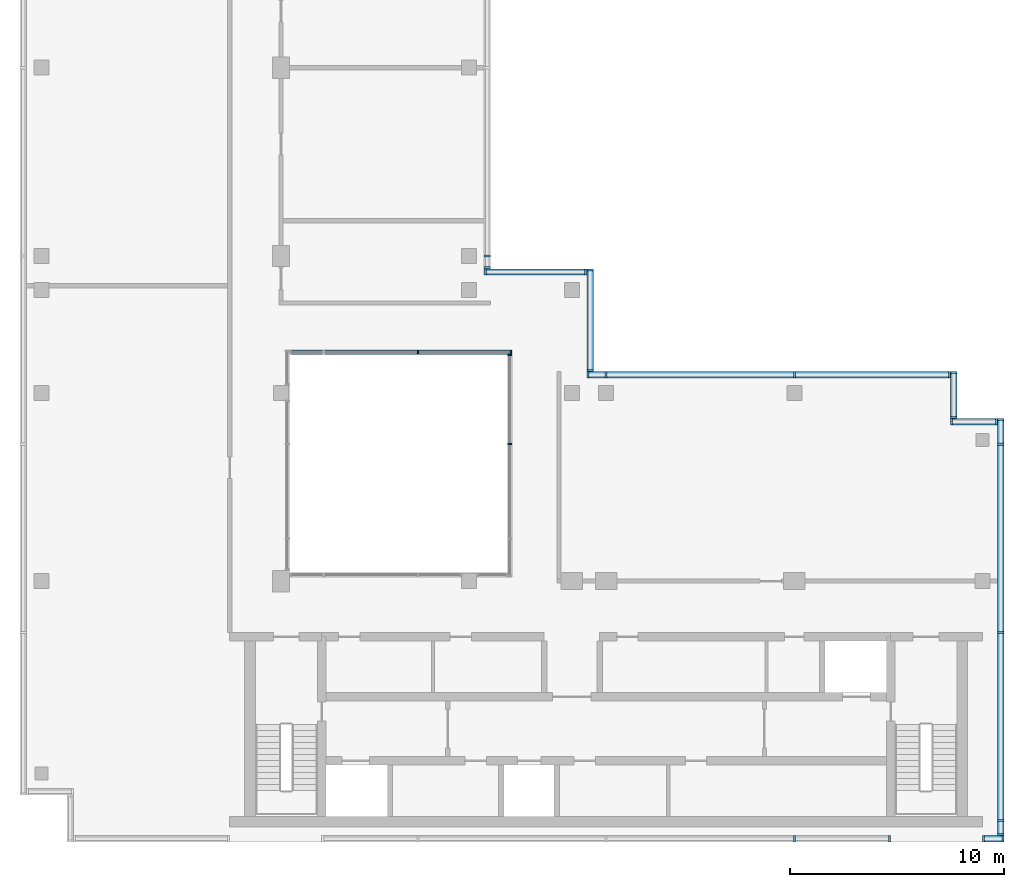
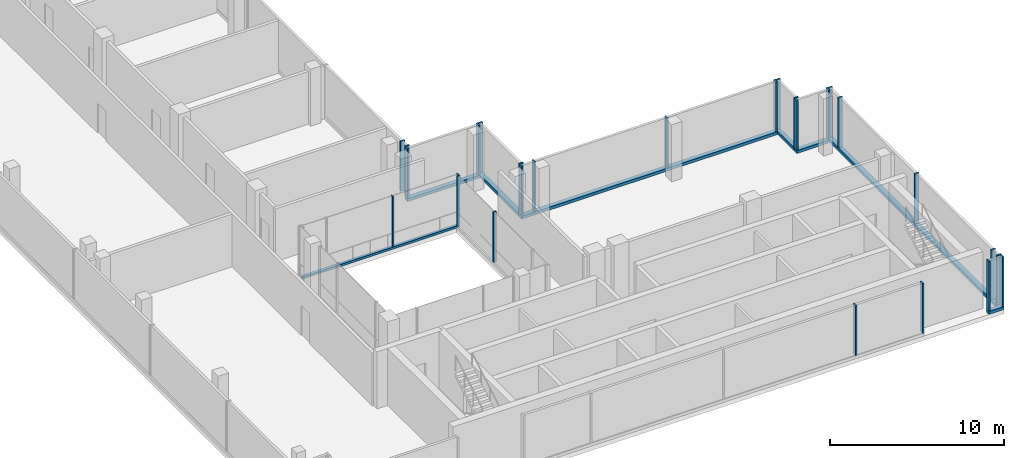
# One storey, part 5 of 10: 35 members, 11 elements without a shape of their own.
"""IFC4 building model written with IfcOpenShell, lengths in metres."""

from ifc_helpers import new_model, si_unit, direction, frame, origin, origin_2d, place, context, subcontext, project, spatial, rectangle, extrude, source, transform, mapped, material, material_profile, profile_set, type_object, element, aggregate, save


model = new_model("IFC4")

# Units and contexts
model_context = context("Model", 3, precision=1e-05, world=origin(), true_north=direction((0.0, 1.0)))
body_context = subcontext(model_context, "Body", "Model", "MODEL_VIEW")
ifc_project = project(units=[si_unit("LENGTHUNIT", "METRE"), si_unit("AREAUNIT", "SQUARE_METRE"), si_unit("VOLUMEUNIT", "CUBIC_METRE"), si_unit("PLANEANGLEUNIT", "RADIAN"), si_unit("MASSUNIT", "GRAM", prefix="KILO")], contexts=[model_context])

# Site, building, storey
site_placement = place(None, origin())
site = spatial("IfcSite", under=ifc_project, at=site_placement, CompositionType="ELEMENT")
building_placement = place(site_placement, origin())
building = spatial("IfcBuilding", under=site, at=building_placement, Name="Kemantara Hotel Tower", CompositionType="ELEMENT")
storey_placement = place(building_placement, frame((0.0, 0.0, 314.199951171875)))
storey = spatial("IfcBuildingStorey", under=building, at=storey_placement, Name="L79", CompositionType="ELEMENT", Elevation=314.199951171875)

# Curtain wall, member
ifc_material_1 = material(Name="Clear low-iron laminated glass 36 mm", Category="glass")
curtain_wall_type_1 = type_object("IfcCurtainWallType", Name="ATRIUM GLAZING WALL", PredefinedType="USERDEFINED", material=ifc_material_1)
curtain_wall_1_placement = place(storey_placement, origin())
curtain_wall_1 = element("IfcCurtainWall", 1, at=curtain_wall_1_placement, inside=storey, type_object=curtain_wall_type_1, Name="CW5 L79 ATR-R0-1", ObjectType="ATRIUM GLAZING WALL", PredefinedType="USERDEFINED")
ifc_material_2 = material(Name="Aluminium 6063-T6 bronze anodised", Category="aluminium")
ifc_material_profile_1 = material_profile(ifc_material_2, rectangle(XDim=0.199951171875, YDim=0.14990234375, at=origin_2d()), Name="ATRIUM GLAZING WALL TRANSOM")
ifc_profile_set_1 = profile_set([ifc_material_profile_1], Name="Aluminium 6063-T6 bronze anodised")
member_type_1 = type_object("IfcMemberType", Name="ATRIUM GLAZING WALL TRANSOM", PredefinedType="USERDEFINED", material=ifc_profile_set_1)
member_1_placement = place(storey_placement, frame((12.60009765625, 22.89990234375, 0.074951171875), z_axis=(1.0, 0.0, 0.0), x_axis=(0.0, 1.0, 0.0)))
member_1 = element("IfcMember", 2, at=member_1_placement, type_object=member_type_1, Name="CW5 sill transom ATR-R0-1", ObjectType="TRANSOM", PredefinedType="USERDEFINED", context=body_context, shape_type="SweptSolid", body=[
    extrude(rectangle(XDim=0.199951171875, YDim=0.14990234375, at=origin_2d()), origin(), (0.0, 0.0, 1.0), 10.39990234375),
])

curtain_wall_type_2 = type_object("IfcCurtainWallType", Name="CROWN LOUVRE SCREEN WALL", PredefinedType="USERDEFINED", material=ifc_material_2)
curtain_wall_2_placement = place(storey_placement, origin())
curtain_wall_2 = element("IfcCurtainWall", 3, at=curtain_wall_2_placement, inside=storey, type_object=curtain_wall_type_2, Name="CW7 L79 CRN-R08-3", ObjectType="CROWN LOUVRE SCREEN WALL", PredefinedType="USERDEFINED")
ifc_material_profile_2 = material_profile(ifc_material_2, rectangle(XDim=0.300048828125, YDim=0.199951171875, at=origin_2d()), Name="CROWN LOUVRE SCREEN WALL TRANSOM")
ifc_profile_set_2 = profile_set([ifc_material_profile_2], Name="Aluminium 6063-T6 bronze anodised")
member_type_2 = type_object("IfcMemberType", Name="CROWN LOUVRE SCREEN WALL TRANSOM", PredefinedType="USERDEFINED", material=ifc_profile_set_2)
member_2_placement = place(storey_placement, frame((45.0, 0.14990234375, 0.10009765625), z_axis=(1.0, 0.0, 0.0), x_axis=(0.0, 1.0, 0.0)))
member_2 = element("IfcMember", 4, at=member_2_placement, type_object=member_type_2, Name="CW7 sill transom CRN-R08-3", ObjectType="TRANSOM", PredefinedType="USERDEFINED", context=body_context, shape_type="SweptSolid", body=[
    extrude(rectangle(XDim=0.300048828125, YDim=0.199951171875, at=origin_2d()), origin(), (0.0, 0.0, 1.0), 1.0),
])

curtain_wall_3_placement = place(storey_placement, origin())
curtain_wall_3 = element("IfcCurtainWall", 5, at=curtain_wall_3_placement, inside=storey, type_object=curtain_wall_type_2, Name="CW7 L79 CRN-R09-1", ObjectType="CROWN LOUVRE SCREEN WALL", PredefinedType="USERDEFINED")
member_3_placement = place(storey_placement, frame((45.85009765625, 0.300048828125, 0.10009765625), z_axis=(0.0, 1.0, 0.0), x_axis=(-1.0, 0.0, 0.0)))
member_3 = element("IfcMember", 6, at=member_3_placement, type_object=member_type_2, Name="CW7 sill transom CRN-R09-1", ObjectType="TRANSOM", PredefinedType="USERDEFINED", context=body_context, shape_type="SweptSolid", body=[
    extrude(rectangle(XDim=0.300048828125, YDim=0.199951171875, at=origin_2d()), origin(), (0.0, 0.0, 1.0), 19.5),
])

curtain_wall_4_placement = place(storey_placement, origin())
curtain_wall_4 = element("IfcCurtainWall", 7, at=curtain_wall_4_placement, inside=storey, type_object=curtain_wall_type_2, Name="CW7 L79 CRN-R12-1", ObjectType="CROWN LOUVRE SCREEN WALL", PredefinedType="USERDEFINED")
member_4_placement = place(storey_placement, frame((43.5, 21.85009765625, 0.10009765625), z_axis=(-1.0, 0.0, 0.0), x_axis=(0.0, -1.0, 0.0)))
member_4 = element("IfcMember", 8, at=member_4_placement, type_object=member_type_2, Name="CW7 sill transom CRN-R12-1", ObjectType="TRANSOM", PredefinedType="USERDEFINED", context=body_context, shape_type="SweptSolid", body=[
    extrude(rectangle(XDim=0.300048828125, YDim=0.199951171875, at=origin_2d()), origin(), (0.0, 0.0, 1.0), 17.0),
])

curtain_wall_5_placement = place(storey_placement, origin())
curtain_wall_5 = element("IfcCurtainWall", 9, at=curtain_wall_5_placement, inside=storey, type_object=curtain_wall_type_2, Name="CW7 L79 CRN-R13-1", ObjectType="CROWN LOUVRE SCREEN WALL", PredefinedType="USERDEFINED")
member_5_placement = place(storey_placement, frame((26.64990234375, 22.0, 0.10009765625), z_axis=(0.0, 1.0, 0.0), x_axis=(-1.0, 0.0, 0.0)))
member_5 = element("IfcMember", 10, at=member_5_placement, type_object=member_type_2, Name="CW7 sill transom CRN-R13-1", ObjectType="TRANSOM", PredefinedType="USERDEFINED", context=body_context, shape_type="SweptSolid", body=[
    extrude(rectangle(XDim=0.300048828125, YDim=0.199951171875, at=origin_2d()), origin(), (0.0, 0.0, 1.0), 4.800048828125),
])

curtain_wall_6_placement = place(storey_placement, origin())
curtain_wall_6 = element("IfcCurtainWall", 11, at=curtain_wall_6_placement, inside=storey, type_object=curtain_wall_type_2, Name="CW7 L79 CRN-R14-1", ObjectType="CROWN LOUVRE SCREEN WALL", PredefinedType="USERDEFINED")
member_6_placement = place(storey_placement, frame((26.5, 26.64990234375, 0.10009765625), z_axis=(-1.0, 0.0, 0.0), x_axis=(0.0, -1.0, 0.0)))
member_6 = element("IfcMember", 12, at=member_6_placement, type_object=member_type_2, Name="CW7 sill transom CRN-R14-1", ObjectType="TRANSOM", PredefinedType="USERDEFINED", context=body_context, shape_type="SweptSolid", body=[
    extrude(rectangle(XDim=0.300048828125, YDim=0.199951171875, at=origin_2d()), origin(), (0.0, 0.0, 1.0), 4.800048828125),
])

curtain_wall_7_placement = place(storey_placement, origin())
curtain_wall_7 = element("IfcCurtainWall", 13, at=curtain_wall_7_placement, inside=storey, type_object=curtain_wall_type_2, Name="CW7 L79 CRN-R10-1", ObjectType="CROWN LOUVRE SCREEN WALL", PredefinedType="USERDEFINED")
member_7_placement = place(storey_placement, frame((45.699951171875, 19.64990234375, 0.10009765625), z_axis=(-1.0, 0.0, 0.0), x_axis=(0.0, -1.0, 0.0)))
member_7 = element("IfcMember", 14, at=member_7_placement, type_object=member_type_2, Name="CW7 sill transom CRN-R10-1", ObjectType="TRANSOM", PredefinedType="USERDEFINED", context=body_context, shape_type="SweptSolid", body=[
    extrude(rectangle(XDim=0.300048828125, YDim=0.199951171875, at=origin_2d()), origin(), (0.0, 0.0, 1.0), 2.199951171875),
])

curtain_wall_8_placement = place(storey_placement, origin())
curtain_wall_8 = element("IfcCurtainWall", 15, at=curtain_wall_8_placement, inside=storey, type_object=curtain_wall_type_2, Name="CW7 L79 CRN-R11-1", ObjectType="CROWN LOUVRE SCREEN WALL", PredefinedType="USERDEFINED")
member_8_placement = place(storey_placement, frame((43.64990234375, 19.800048828125, 0.10009765625), z_axis=(0.0, 1.0, 0.0), x_axis=(-1.0, 0.0, 0.0)))
member_8 = element("IfcMember", 16, at=member_8_placement, type_object=member_type_2, Name="CW7 sill transom CRN-R11-1", ObjectType="TRANSOM", PredefinedType="USERDEFINED", context=body_context, shape_type="SweptSolid", body=[
    extrude(rectangle(XDim=0.300048828125, YDim=0.199951171875, at=origin_2d()), origin(), (0.0, 0.0, 1.0), 2.199951171875),
])

# Curtain wall, members
curtain_wall_9_placement = place(storey_placement, origin())
curtain_wall_9 = element("IfcCurtainWall", 17, at=curtain_wall_9_placement, inside=storey, type_object=curtain_wall_type_2, Name="CW7 L79 CRN-R08-2", ObjectType="CROWN LOUVRE SCREEN WALL", PredefinedType="USERDEFINED")
ifc_material_profile_3 = material_profile(ifc_material_2, rectangle(XDim=0.300048828125, YDim=0.10009765625, at=origin_2d()), Name="CROWN LOUVRE SCREEN WALL MULLION")
ifc_profile_set_3 = profile_set([ifc_material_profile_3], Name="Aluminium 6063-T6 bronze anodised")
member_type_3 = type_object("IfcMemberType", Name="CROWN LOUVRE SCREEN WALL MULLION", PredefinedType="MULLION", material=ifc_profile_set_3)
shared_shape_1 = source(origin(), body_context, "Body", "SweptSolid", [
    extrude(rectangle(XDim=0.300048828125, YDim=0.10009765625, at=origin_2d()), origin(), (0.0, 0.0, 1.0), 3.5),
])
member_9_placement = place(storey_placement, frame((36.199951171875, 0.14990234375, 0.199951171875), z_axis=(0.0, 0.0, 1.0), x_axis=(0.0, 1.0, 0.0)))
member_9 = element("IfcMember", 18, at=member_9_placement, type_object=member_type_3, Name="CW7 mullion CRN-R08-2.4", PredefinedType="MULLION", context=body_context, shape_type="MappedRepresentation", body=[
    mapped(shared_shape_1, transform((0.0, 0.0, 0.0))),
])
member_10_placement = place(storey_placement, frame((40.64990234375, 0.14990234375, 0.199951171875), z_axis=(0.0, 0.0, 1.0), x_axis=(0.0, 1.0, 0.0)))
member_10 = element("IfcMember", 19, at=member_10_placement, type_object=member_type_3, Name="CW7 mullion CRN-R08-2.5", PredefinedType="MULLION", context=body_context, shape_type="MappedRepresentation", body=[
    mapped(shared_shape_1, transform((0.0, 0.0, 0.0))),
])
aggregate(curtain_wall_9, [member_9, member_10])

# Member
member_11_placement = place(storey_placement, frame((45.050048828125, 0.14990234375, 0.199951171875), z_axis=(0.0, 0.0, 1.0), x_axis=(0.0, 1.0, 0.0)))
member_11 = element("IfcMember", 20, at=member_11_placement, type_object=member_type_3, Name="CW7 mullion CRN-R08-3.1", PredefinedType="MULLION", context=body_context, shape_type="MappedRepresentation", body=[
    mapped(shared_shape_1, transform((0.0, 0.0, 0.0))),
])

member_12_placement = place(storey_placement, frame((45.949951171875, 0.14990234375, 0.199951171875), z_axis=(0.0, 0.0, 1.0), x_axis=(0.0, 1.0, 0.0)))
member_12 = element("IfcMember", 21, at=member_12_placement, type_object=member_type_3, Name="CW7 mullion CRN-R08-3.2", PredefinedType="MULLION", context=body_context, shape_type="MappedRepresentation", body=[
    mapped(shared_shape_1, transform((0.0, 0.0, 0.0))),
])

aggregate(curtain_wall_2, [member_2, member_11, member_12])

member_13_placement = place(storey_placement, frame((45.85009765625, 0.35009765625, 0.199951171875), z_axis=(0.0, 0.0, 1.0), x_axis=(-1.0, 0.0, 0.0)))
member_13 = element("IfcMember", 22, at=member_13_placement, type_object=member_type_3, Name="CW7 mullion CRN-R09-1.1", PredefinedType="MULLION", context=body_context, shape_type="MappedRepresentation", body=[
    mapped(shared_shape_1, transform((0.0, 0.0, 0.0))),
])

member_14_placement = place(storey_placement, frame((45.85009765625, 1.0, 0.199951171875), z_axis=(0.0, 0.0, 1.0), x_axis=(-1.0, 0.0, 0.0)))
member_14 = element("IfcMember", 23, at=member_14_placement, type_object=member_type_3, Name="CW7 mullion CRN-R09-1.2", PredefinedType="MULLION", context=body_context, shape_type="MappedRepresentation", body=[
    mapped(shared_shape_1, transform((0.0, 0.0, 0.0))),
])

member_15_placement = place(storey_placement, frame((45.85009765625, 9.800048828125, 0.199951171875), z_axis=(0.0, 0.0, 1.0), x_axis=(-1.0, 0.0, 0.0)))
member_15 = element("IfcMember", 24, at=member_15_placement, type_object=member_type_3, Name="CW7 mullion CRN-R09-1.3", PredefinedType="MULLION", context=body_context, shape_type="MappedRepresentation", body=[
    mapped(shared_shape_1, transform((0.0, 0.0, 0.0))),
])

member_16_placement = place(storey_placement, frame((45.85009765625, 18.60009765625, 0.199951171875), z_axis=(0.0, 0.0, 1.0), x_axis=(-1.0, 0.0, 0.0)))
member_16 = element("IfcMember", 25, at=member_16_placement, type_object=member_type_3, Name="CW7 mullion CRN-R09-1.4", PredefinedType="MULLION", context=body_context, shape_type="MappedRepresentation", body=[
    mapped(shared_shape_1, transform((0.0, 0.0, 0.0))),
])

member_17_placement = place(storey_placement, frame((45.85009765625, 19.75, 0.199951171875), z_axis=(0.0, 0.0, 1.0), x_axis=(-1.0, 0.0, 0.0)))
member_17 = element("IfcMember", 26, at=member_17_placement, type_object=member_type_3, Name="CW7 mullion CRN-R09-1.5", PredefinedType="MULLION", context=body_context, shape_type="MappedRepresentation", body=[
    mapped(shared_shape_1, transform((0.0, 0.0, 0.0))),
])

aggregate(curtain_wall_3, [member_3, member_13, member_14, member_15, member_16, member_17])

member_18_placement = place(storey_placement, frame((43.449951171875, 21.85009765625, 0.199951171875), z_axis=(0.0, 0.0, 1.0), x_axis=(0.0, -1.0, 0.0)))
member_18 = element("IfcMember", 27, at=member_18_placement, type_object=member_type_3, Name="CW7 mullion CRN-R12-1.1", PredefinedType="MULLION", context=body_context, shape_type="MappedRepresentation", body=[
    mapped(shared_shape_1, transform((0.0, 0.0, 0.0))),
])

member_19_placement = place(storey_placement, frame((36.199951171875, 21.85009765625, 0.199951171875), z_axis=(0.0, 0.0, 1.0), x_axis=(0.0, -1.0, 0.0)))
member_19 = element("IfcMember", 28, at=member_19_placement, type_object=member_type_3, Name="CW7 mullion CRN-R12-1.2", PredefinedType="MULLION", context=body_context, shape_type="MappedRepresentation", body=[
    mapped(shared_shape_1, transform((0.0, 0.0, 0.0))),
])

member_20_placement = place(storey_placement, frame((27.39990234375, 21.85009765625, 0.199951171875), z_axis=(0.0, 0.0, 1.0), x_axis=(0.0, -1.0, 0.0)))
member_20 = element("IfcMember", 29, at=member_20_placement, type_object=member_type_3, Name="CW7 mullion CRN-R12-1.3", PredefinedType="MULLION", context=body_context, shape_type="MappedRepresentation", body=[
    mapped(shared_shape_1, transform((0.0, 0.0, 0.0))),
])

member_21_placement = place(storey_placement, frame((26.550048828125, 21.85009765625, 0.199951171875), z_axis=(0.0, 0.0, 1.0), x_axis=(0.0, -1.0, 0.0)))
member_21 = element("IfcMember", 30, at=member_21_placement, type_object=member_type_3, Name="CW7 mullion CRN-R12-1.4", PredefinedType="MULLION", context=body_context, shape_type="MappedRepresentation", body=[
    mapped(shared_shape_1, transform((0.0, 0.0, 0.0))),
])

aggregate(curtain_wall_4, [member_4, member_18, member_19, member_20, member_21])

member_22_placement = place(storey_placement, frame((26.64990234375, 22.050048828125, 0.199951171875), z_axis=(0.0, 0.0, 1.0), x_axis=(-1.0, 0.0, 0.0)))
member_22 = element("IfcMember", 31, at=member_22_placement, type_object=member_type_3, Name="CW7 mullion CRN-R13-1.1", PredefinedType="MULLION", context=body_context, shape_type="MappedRepresentation", body=[
    mapped(shared_shape_1, transform((0.0, 0.0, 0.0))),
])

member_23_placement = place(storey_placement, frame((26.64990234375, 26.75, 0.199951171875), z_axis=(0.0, 0.0, 1.0), x_axis=(-1.0, 0.0, 0.0)))
member_23 = element("IfcMember", 32, at=member_23_placement, type_object=member_type_3, Name="CW7 mullion CRN-R13-1.2", PredefinedType="MULLION", context=body_context, shape_type="MappedRepresentation", body=[
    mapped(shared_shape_1, transform((0.0, 0.0, 0.0))),
])

aggregate(curtain_wall_5, [member_5, member_22, member_23])

member_24_placement = place(storey_placement, frame((26.449951171875, 26.64990234375, 0.199951171875), z_axis=(0.0, 0.0, 1.0), x_axis=(0.0, -1.0, 0.0)))
member_24 = element("IfcMember", 33, at=member_24_placement, type_object=member_type_3, Name="CW7 mullion CRN-R14-1.1", PredefinedType="MULLION", context=body_context, shape_type="MappedRepresentation", body=[
    mapped(shared_shape_1, transform((0.0, 0.0, 0.0))),
])

member_25_placement = place(storey_placement, frame((21.75, 26.64990234375, 0.199951171875), z_axis=(0.0, 0.0, 1.0), x_axis=(0.0, -1.0, 0.0)))
member_25 = element("IfcMember", 34, at=member_25_placement, type_object=member_type_3, Name="CW7 mullion CRN-R14-1.2", PredefinedType="MULLION", context=body_context, shape_type="MappedRepresentation", body=[
    mapped(shared_shape_1, transform((0.0, 0.0, 0.0))),
])

aggregate(curtain_wall_6, [member_6, member_24, member_25])

# Curtain wall, members
curtain_wall_10_placement = place(storey_placement, origin())
curtain_wall_10 = element("IfcCurtainWall", 35, at=curtain_wall_10_placement, inside=storey, type_object=curtain_wall_type_2, Name="CW7 L79 CRN-R15-1", ObjectType="CROWN LOUVRE SCREEN WALL", PredefinedType="USERDEFINED")
member_26_placement = place(storey_placement, frame((21.85009765625, 26.85009765625, 0.199951171875), z_axis=(0.0, 0.0, 1.0), x_axis=(-1.0, 0.0, 0.0)))
member_26 = element("IfcMember", 36, at=member_26_placement, type_object=member_type_3, Name="CW7 mullion CRN-R15-1.1", PredefinedType="MULLION", context=body_context, shape_type="MappedRepresentation", body=[
    mapped(shared_shape_1, transform((0.0, 0.0, 0.0))),
])
member_27_placement = place(storey_placement, frame((21.85009765625, 27.39990234375, 0.199951171875), z_axis=(0.0, 0.0, 1.0), x_axis=(-1.0, 0.0, 0.0)))
member_27 = element("IfcMember", 37, at=member_27_placement, type_object=member_type_3, Name="CW7 mullion CRN-R15-1.2", PredefinedType="MULLION", context=body_context, shape_type="MappedRepresentation", body=[
    mapped(shared_shape_1, transform((0.0, 0.0, 0.0))),
])
aggregate(curtain_wall_10, [member_26, member_27])

# Member
member_28_placement = place(storey_placement, frame((45.64990234375, 19.64990234375, 0.199951171875), z_axis=(0.0, 0.0, 1.0), x_axis=(0.0, -1.0, 0.0)))
member_28 = element("IfcMember", 38, at=member_28_placement, type_object=member_type_3, Name="CW7 mullion CRN-R10-1.1", PredefinedType="MULLION", context=body_context, shape_type="MappedRepresentation", body=[
    mapped(shared_shape_1, transform((0.0, 0.0, 0.0))),
])

member_29_placement = place(storey_placement, frame((43.550048828125, 19.64990234375, 0.199951171875), z_axis=(0.0, 0.0, 1.0), x_axis=(0.0, -1.0, 0.0)))
member_29 = element("IfcMember", 39, at=member_29_placement, type_object=member_type_3, Name="CW7 mullion CRN-R10-1.2", PredefinedType="MULLION", context=body_context, shape_type="MappedRepresentation", body=[
    mapped(shared_shape_1, transform((0.0, 0.0, 0.0))),
])

aggregate(curtain_wall_7, [member_7, member_28, member_29])

member_30_placement = place(storey_placement, frame((43.64990234375, 19.85009765625, 0.199951171875), z_axis=(0.0, 0.0, 1.0), x_axis=(-1.0, 0.0, 0.0)))
member_30 = element("IfcMember", 40, at=member_30_placement, type_object=member_type_3, Name="CW7 mullion CRN-R11-1.1", PredefinedType="MULLION", context=body_context, shape_type="MappedRepresentation", body=[
    mapped(shared_shape_1, transform((0.0, 0.0, 0.0))),
])

member_31_placement = place(storey_placement, frame((43.64990234375, 21.949951171875, 0.199951171875), z_axis=(0.0, 0.0, 1.0), x_axis=(-1.0, 0.0, 0.0)))
member_31 = element("IfcMember", 41, at=member_31_placement, type_object=member_type_3, Name="CW7 mullion CRN-R11-1.2", PredefinedType="MULLION", context=body_context, shape_type="MappedRepresentation", body=[
    mapped(shared_shape_1, transform((0.0, 0.0, 0.0))),
])

aggregate(curtain_wall_8, [member_8, member_30, member_31])

ifc_material_profile_4 = material_profile(ifc_material_2, rectangle(XDim=0.199951171875, YDim=0.074951171875, at=origin_2d()), Name="ATRIUM GLAZING WALL MULLION")
ifc_profile_set_4 = profile_set([ifc_material_profile_4], Name="Aluminium 6063-T6 bronze anodised")
member_type_4 = type_object("IfcMemberType", Name="ATRIUM GLAZING WALL MULLION", PredefinedType="MULLION", material=ifc_profile_set_4)
shared_shape_2 = source(origin(), body_context, "Body", "SweptSolid", [
    extrude(rectangle(XDim=0.199951171875, YDim=0.074951171875, at=origin_2d()), origin(), (0.0, 0.0, 1.0), 3.5498046875),
])
member_32_placement = place(storey_placement, frame((18.60009765625, 22.89990234375, 0.150146484375), z_axis=(0.0, 0.0, 1.0), x_axis=(0.0, 1.0, 0.0)))
member_32 = element("IfcMember", 42, at=member_32_placement, type_object=member_type_4, Name="CW5 mullion ATR-R0-1.3", PredefinedType="MULLION", context=body_context, shape_type="MappedRepresentation", body=[
    mapped(shared_shape_2, transform((0.0, 0.0, 0.0))),
])

member_33_placement = place(storey_placement, frame((22.96240234375, 22.89990234375, 0.150146484375), z_axis=(0.0, 0.0, 1.0), x_axis=(0.0, 1.0, 0.0)))
member_33 = element("IfcMember", 43, at=member_33_placement, type_object=member_type_4, Name="CW5 mullion ATR-R0-1.4", PredefinedType="MULLION", context=body_context, shape_type="MappedRepresentation", body=[
    mapped(shared_shape_2, transform((0.0, 0.0, 0.0))),
])

aggregate(curtain_wall_1, [member_1, member_32, member_33])

# Curtain wall, members
curtain_wall_11_placement = place(storey_placement, origin())
curtain_wall_11 = element("IfcCurtainWall", 44, at=curtain_wall_11_placement, inside=storey, type_object=curtain_wall_type_1, Name="CW5 L79 ATR-R1-1", ObjectType="ATRIUM GLAZING WALL", PredefinedType="USERDEFINED")
member_34_placement = place(storey_placement, frame((22.89990234375, 22.762451171875, 0.150146484375), z_axis=(0.0, 0.0, 1.0), x_axis=(1.0, 0.0, 0.0)))
member_34 = element("IfcMember", 45, at=member_34_placement, type_object=member_type_4, Name="CW5 mullion ATR-R1-1.1", PredefinedType="MULLION", context=body_context, shape_type="MappedRepresentation", body=[
    mapped(shared_shape_2, transform((0.0, 0.0, 0.0))),
])
member_35_placement = place(storey_placement, frame((22.89990234375, 18.60009765625, 0.150146484375), z_axis=(0.0, 0.0, 1.0), x_axis=(1.0, 0.0, 0.0)))
member_35 = element("IfcMember", 46, at=member_35_placement, type_object=member_type_4, Name="CW5 mullion ATR-R1-1.2", PredefinedType="MULLION", context=body_context, shape_type="MappedRepresentation", body=[
    mapped(shared_shape_2, transform((0.0, 0.0, 0.0))),
])
aggregate(curtain_wall_11, [member_34, member_35])

save(model, "model.ifc")
